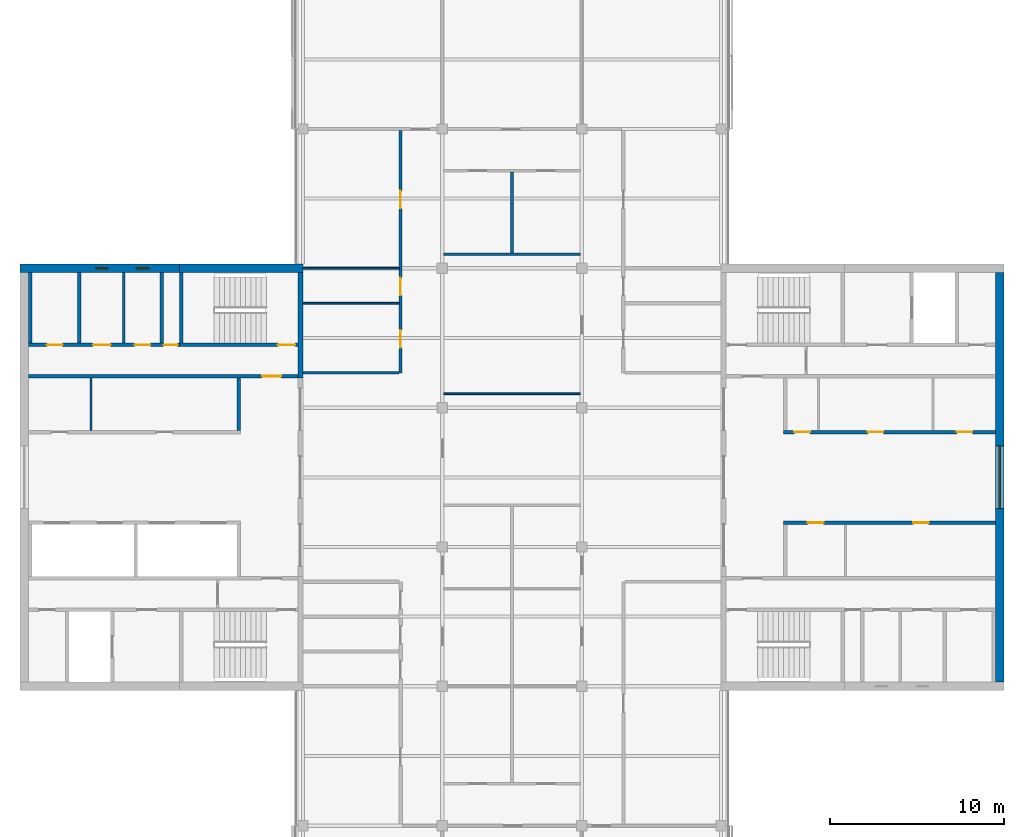
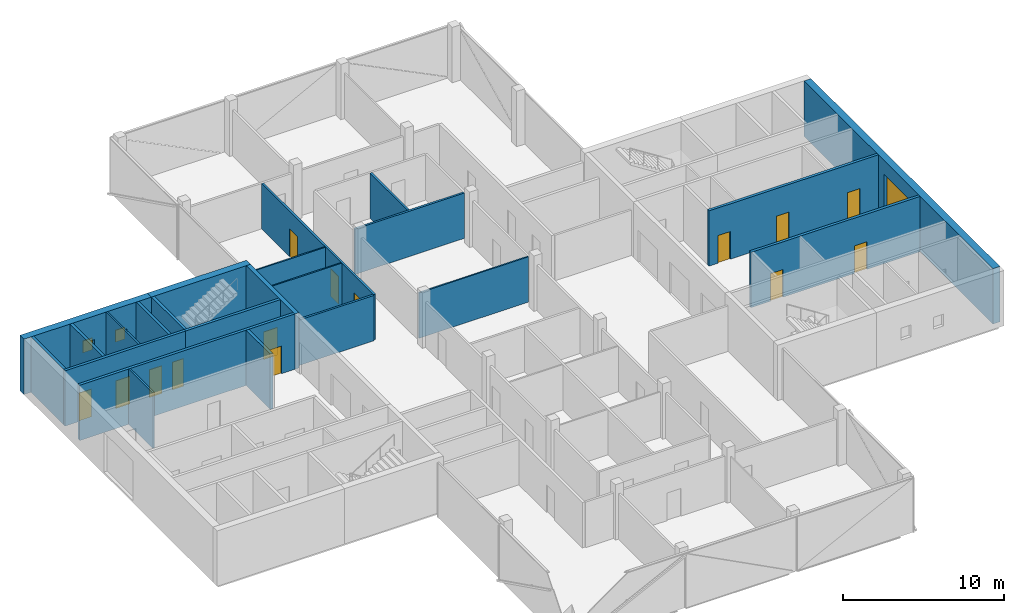
# One storey, part 11 of 16: 23 walls, 14 doors, 3 windows, 17 openings.
"""IFC4 building model written with IfcOpenShell, lengths in metres."""

from ifc_helpers import new_model, si_unit, direction, frame, frame_2d, origin, place, context, subcontext, project, spatial, rectangle, extrude, material, layer, layer_set, constituent, constituent_set, type_object, element, fill, save


model = new_model("IFC4")

# Units and contexts
model_context = context("Model", 3, precision=1e-05, world=origin(), true_north=direction((0.0, 1.0)))
body_context = subcontext(model_context, "Body", "Model", "MODEL_VIEW")
ifc_project = project(units=[si_unit("LENGTHUNIT", "METRE"), si_unit("AREAUNIT", "SQUARE_METRE"), si_unit("VOLUMEUNIT", "CUBIC_METRE"), si_unit("PLANEANGLEUNIT", "RADIAN"), si_unit("MASSUNIT", "GRAM", prefix="KILO")], contexts=[model_context])

# Site, building, storey
site_placement = place(None, origin())
site = spatial("IfcSite", under=ifc_project, at=site_placement, CompositionType="ELEMENT")
building_placement = place(site_placement, origin())
building = spatial("IfcBuilding", under=site, at=building_placement, Name="Crosswind Convention Tower", CompositionType="ELEMENT")
storey_placement = place(building_placement, frame((0.0, 0.0, 336.5)))
storey = spatial("IfcBuildingStorey", under=building, at=storey_placement, Name="L73", CompositionType="ELEMENT", Elevation=336.5)

# Walls
ifc_material_1 = material(Name="Concrete blockwork", Category="masonry")
ifc_layer_1 = layer(ifc_material_1, 0.199951171875)
ifc_layer_set_1 = layer_set([ifc_layer_1], Name="Blockwork partition wall 200")
wall_type_1 = type_object("IfcWallType", Name="Blockwork partition wall 200", PredefinedType="PARTITIONING", material=ifc_layer_set_1)
wall_1_placement = place(storey_placement, frame((104.89990234375, 111.75, 0.0), z_axis=(0.0, 0.0, 1.0), x_axis=(0.0, -1.0, 0.0)))
element("IfcWall", 1, at=wall_1_placement, inside=storey, type_object=wall_type_1, Name="Wall MRSE W L73", PredefinedType="PARTITIONING", context=body_context, shape_type="SweptSolid", body=[
    extrude(rectangle(XDim=4.050048828125, YDim=0.199951171875, at=frame_2d((2.02490234375, 0.0))), origin(), (0.0, 0.0, 1.0), 4.199951171875),
])
ifc_material_2 = material(Name="Concrete C50/60", Category="concrete")
ifc_layer_2 = layer(ifc_material_2, 0.300048828125)
ifc_layer_set_2 = layer_set([ifc_layer_2], Name="Concrete C50/60")
wall_type_2 = type_object("IfcWallType", Name="Concrete inner core wall 300", PredefinedType="SHEAR", material=ifc_layer_set_2)
wall_2_placement = place(storey_placement, frame((112.85009765625, 111.75, 0.0), z_axis=(0.0, 0.0, 1.0), x_axis=(0.0, -1.0, 0.0)))
element("IfcWall", 2, at=wall_2_placement, inside=storey, type_object=wall_type_2, Name="Wall EM W L73", PredefinedType="SHEAR", context=body_context, shape_type="SweptSolid", body=[
    extrude(rectangle(XDim=6.050048828125, YDim=0.300048828125, at=frame_2d((3.02490234375, 0.0))), origin(), (0.0, 0.0, 1.0), 4.199951171875),
])

# Wall, openings, doors
ifc_layer_3 = layer(ifc_material_2, 0.199951171875)
ifc_layer_set_3 = layer_set([ifc_layer_3], Name="Concrete C50/60")
wall_type_3 = type_object("IfcWallType", Name="Concrete shaft and stair wall 200", PredefinedType="SHEAR", material=ifc_layer_set_3)
wall_3_placement = place(storey_placement, frame((140.60009765625, 102.60009765625, 0.0), z_axis=(0.0, 0.0, 1.0), x_axis=(1.0, 0.0, 0.0)))
wall_3 = element("IfcWall", 3, at=wall_3_placement, inside=storey, type_object=wall_type_3, Name="Wall RPFRONT E L73", PredefinedType="SHEAR", context=body_context, shape_type="SweptSolid", body=[
    extrude(rectangle(XDim=12.14990234375, YDim=0.199951171875, at=frame_2d((6.074951171875, 0.0))), origin(), (0.0, 0.0, 1.0), 4.199951171875),
])
opening_1_placement = place(wall_3_placement, frame((0.614990234375, 0.0, 0.0)))
opening_1 = element("IfcOpeningElement", 4, at=opening_1_placement, cuts=wall_3, Name="Opening D106", PredefinedType="OPENING", context=body_context, shape_type="SweptSolid", body=[
    extrude(rectangle(XDim=0.89990234375, YDim=2.10009765625, at=frame_2d((0.449951171875, 1.050048828125))), frame((0.0, 0.10986328125, 0.0), z_axis=(0.0, -1.0, 0.0), x_axis=(1.0, 0.0, 0.0)), (0.0, 0.0, 1.0), 0.219970703125),
])
opening_2_placement = place(wall_3_placement, frame((4.828857421875, 0.0, 0.0)))
opening_2 = element("IfcOpeningElement", 5, at=opening_2_placement, cuts=wall_3, Name="Opening D106", PredefinedType="OPENING", context=body_context, shape_type="SweptSolid", body=[
    extrude(rectangle(XDim=0.89990234375, YDim=2.10009765625, at=frame_2d((0.449951171875, 1.050048828125))), frame((0.0, 0.10986328125, 0.0), z_axis=(0.0, -1.0, 0.0), x_axis=(1.0, 0.0, 0.0)), (0.0, 0.0, 1.0), 0.219970703125),
])
opening_3_placement = place(wall_3_placement, frame((9.938720703125, 0.0, 0.0)))
opening_3 = element("IfcOpeningElement", 6, at=opening_3_placement, cuts=wall_3, Name="Opening D106", PredefinedType="OPENING", context=body_context, shape_type="SweptSolid", body=[
    extrude(rectangle(XDim=0.89990234375, YDim=2.10009765625, at=frame_2d((0.449951171875, 1.050048828125))), frame((0.0, 0.10986328125, 0.0), z_axis=(0.0, -1.0, 0.0), x_axis=(1.0, 0.0, 0.0)), (0.0, 0.0, 1.0), 0.219970703125),
])
ifc_material_3 = material(Name="Timber door", Category="wood")
door_type_1 = type_object("IfcDoorType", Name="Single leaf door 900x2100", OperationType="NOTDEFINED", PredefinedType="DOOR", material=ifc_material_3)
door_1_placement = place(opening_1_placement, origin())
door_1 = element("IfcDoor", 7, at=door_1_placement, inside=storey, type_object=door_type_1, Name="Door to tenant services room L73", ObjectType="D106", OperationType="SINGLE_SWING_RIGHT", OverallHeight=2.10009765625, OverallWidth=0.89990234375, PredefinedType="DOOR", context=body_context, shape_type="SweptSolid", body=[
    extrude(rectangle(XDim=0.89990234375, YDim=2.10009765625, at=frame_2d((0.449951171875, 1.050048828125))), frame((0.0, 0.02490234375, 0.0), z_axis=(0.0, -1.0, 0.0), x_axis=(1.0, 0.0, 0.0)), (0.0, 0.0, 1.0), 0.050048828125),
])
fill(opening_1, door_1)
door_2_placement = place(opening_2_placement, origin())
door_2 = element("IfcDoor", 8, at=door_2_placement, inside=storey, type_object=door_type_1, Name="Door to copy and print room L73", ObjectType="D106", OperationType="SINGLE_SWING_RIGHT", OverallHeight=2.10009765625, OverallWidth=0.89990234375, PredefinedType="DOOR", context=body_context, shape_type="SweptSolid", body=[
    extrude(rectangle(XDim=0.89990234375, YDim=2.10009765625, at=frame_2d((0.449951171875, 1.050048828125))), frame((0.0, 0.02490234375, 0.0), z_axis=(0.0, -1.0, 0.0), x_axis=(1.0, 0.0, 0.0)), (0.0, 0.0, 1.0), 0.050048828125),
])
fill(opening_2, door_2)
door_3_placement = place(opening_3_placement, origin())
door_3 = element("IfcDoor", 9, at=door_3_placement, inside=storey, type_object=door_type_1, Name="Door to meeting room L73", ObjectType="D106", OperationType="SINGLE_SWING_RIGHT", OverallHeight=2.10009765625, OverallWidth=0.89990234375, PredefinedType="DOOR", context=body_context, shape_type="SweptSolid", body=[
    extrude(rectangle(XDim=0.89990234375, YDim=2.10009765625, at=frame_2d((0.449951171875, 1.050048828125))), frame((0.0, 0.02490234375, 0.0), z_axis=(0.0, -1.0, 0.0), x_axis=(1.0, 0.0, 0.0)), (0.0, 0.0, 1.0), 0.050048828125),
])
fill(opening_3, door_3)

wall_4_placement = place(storey_placement, frame((140.60009765625, 97.39990234375, 0.0), z_axis=(0.0, 0.0, 1.0), x_axis=(1.0, 0.0, 0.0)))
wall_4 = element("IfcWall", 10, at=wall_4_placement, inside=storey, type_object=wall_type_3, Name="Wall RMFRONT E L73", PredefinedType="SHEAR", context=body_context, shape_type="SweptSolid", body=[
    extrude(rectangle(XDim=12.14990234375, YDim=0.199951171875, at=frame_2d((6.074951171875, 0.0))), origin(), (0.0, 0.0, 1.0), 4.199951171875),
])
opening_4_placement = place(wall_4_placement, frame((1.391845703125, 0.0, 0.0)))
opening_4 = element("IfcOpeningElement", 11, at=opening_4_placement, cuts=wall_4, Name="Opening D106", PredefinedType="OPENING", context=body_context, shape_type="SweptSolid", body=[
    extrude(rectangle(XDim=0.89990234375, YDim=2.10009765625, at=frame_2d((0.449951171875, 1.050048828125))), frame((0.0, 0.10986328125, 0.0), z_axis=(0.0, -1.0, 0.0), x_axis=(1.0, 0.0, 0.0)), (0.0, 0.0, 1.0), 0.219970703125),
])
opening_5_placement = place(wall_4_placement, frame((7.42919921875, 0.0, 0.0)))
opening_5 = element("IfcOpeningElement", 12, at=opening_5_placement, cuts=wall_4, Name="Opening D106", PredefinedType="OPENING", context=body_context, shape_type="SweptSolid", body=[
    extrude(rectangle(XDim=0.89990234375, YDim=2.10009765625, at=frame_2d((0.449951171875, 1.050048828125))), frame((0.0, 0.10986328125, 0.0), z_axis=(0.0, -1.0, 0.0), x_axis=(1.0, 0.0, 0.0)), (0.0, 0.0, 1.0), 0.219970703125),
])
door_4_placement = place(opening_4_placement, frame((0.89990234375, 0.0, 0.0), z_axis=(0.0, 0.0, 1.0), x_axis=(-1.0, 0.0, 0.0)))
door_4 = element("IfcDoor", 13, at=door_4_placement, inside=storey, type_object=door_type_1, Name="Door to copy and print room L73", ObjectType="D106", OperationType="SINGLE_SWING_LEFT", OverallHeight=2.10009765625, OverallWidth=0.89990234375, PredefinedType="DOOR", context=body_context, shape_type="SweptSolid", body=[
    extrude(rectangle(XDim=0.89990234375, YDim=2.10009765625, at=frame_2d((0.449951171875, 1.050048828125))), frame((0.0, 0.02490234375, 0.0), z_axis=(0.0, -1.0, 0.0), x_axis=(1.0, 0.0, 0.0)), (0.0, 0.0, 1.0), 0.050048828125),
])
fill(opening_4, door_4)
door_5_placement = place(opening_5_placement, frame((0.89990234375, 0.0, 0.0), z_axis=(0.0, 0.0, 1.0), x_axis=(-1.0, 0.0, 0.0)))
door_5 = element("IfcDoor", 14, at=door_5_placement, inside=storey, type_object=door_type_1, Name="Door to meeting room L73", ObjectType="D106", OperationType="SINGLE_SWING_LEFT", OverallHeight=2.10009765625, OverallWidth=0.89990234375, PredefinedType="DOOR", context=body_context, shape_type="SweptSolid", body=[
    extrude(rectangle(XDim=0.89990234375, YDim=2.10009765625, at=frame_2d((0.449951171875, 1.050048828125))), frame((0.0, 0.02490234375, 0.0), z_axis=(0.0, -1.0, 0.0), x_axis=(1.0, 0.0, 0.0)), (0.0, 0.0, 1.0), 0.050048828125),
])
fill(opening_5, door_5)

# Wall
wall_5_placement = place(storey_placement, frame((109.300048828125, 105.699951171875, 0.0), z_axis=(0.0, 0.0, 1.0), x_axis=(0.0, -1.0, 0.0)))
element("IfcWall", 15, at=wall_5_placement, inside=storey, type_object=wall_type_3, Name="Wall RMEND W L73", PredefinedType="SHEAR", context=body_context, shape_type="SweptSolid", body=[
    extrude(rectangle(XDim=3.0, YDim=0.199951171875, at=frame_2d((1.5, 0.0))), origin(), (0.0, 0.0, 1.0), 4.199951171875),
])

# Wall, opening, door
wall_6_placement = place(storey_placement, frame((112.699951171875, 105.800048828125, 0.0), z_axis=(0.0, 0.0, 1.0), x_axis=(-1.0, 0.0, 0.0)))
wall_6 = element("IfcWall", 16, at=wall_6_placement, inside=storey, type_object=wall_type_3, Name="Wall HM W L73", PredefinedType="SHEAR", context=body_context, shape_type="SweptSolid", body=[
    extrude(rectangle(XDim=15.449951171875, YDim=0.199951171875, at=frame_2d((7.72509765625, 0.0))), origin(), (0.0, 0.0, 1.0), 4.199951171875),
])
opening_6_placement = place(wall_6_placement, frame((0.949951171875, 0.0, 0.0)))
opening_6 = element("IfcOpeningElement", 17, at=opening_6_placement, cuts=wall_6, Name="Opening D104", PredefinedType="OPENING", context=body_context, shape_type="SweptSolid", body=[
    extrude(rectangle(XDim=1.10009765625, YDim=2.10009765625, at=frame_2d((0.550048828125, 1.050048828125))), frame((0.0, 0.10986328125, 0.0), z_axis=(0.0, -1.0, 0.0), x_axis=(1.0, 0.0, 0.0)), (0.0, 0.0, 1.0), 0.219970703125),
])
ifc_material_4 = material(Name="Steel fire door", Category="steel")
door_type_2 = type_object("IfcDoorType", Name="Fire-rated single door 1100x2100", OperationType="NOTDEFINED", PredefinedType="DOOR", material=ifc_material_4)
door_6_placement = place(opening_6_placement, origin())
door_6 = element("IfcDoor", 18, at=door_6_placement, inside=storey, type_object=door_type_2, Name="Corridor door L73", ObjectType="D104", OperationType="SINGLE_SWING_LEFT", OverallHeight=2.10009765625, OverallWidth=1.10009765625, PredefinedType="DOOR", context=body_context, shape_type="SweptSolid", body=[
    extrude(rectangle(XDim=1.10009765625, YDim=2.10009765625, at=frame_2d((0.550048828125, 1.050048828125))), frame((0.0, 0.02490234375, 0.0), z_axis=(0.0, -1.0, 0.0), x_axis=(1.0, 0.0, 0.0)), (0.0, 0.0, 1.0), 0.050048828125),
])
fill(opening_6, door_6)

# Walls
for number, where, z_axis, x_axis, name in (
    (19, (106.0, 111.75, 0.0), (0.0, 0.0, 1.0), (0.0, -1.0, 0.0), "Wall MSE W L73"),
    (20, (100.14990234375, 111.75, 0.0), (0.0, 0.0, 1.0), (0.0, -1.0, 0.0), "Wall MFSW W L73"),
    (21, (97.35009765625, 111.75, 0.0), (0.0, 0.0, 1.0), (0.0, -1.0, 0.0), "Wall MFSE W L73"),
):
    element("IfcWall", number, at=place(storey_placement, frame(where, z_axis=z_axis, x_axis=x_axis)), inside=storey, type_object=wall_type_3, Name=name, PredefinedType="SHEAR", context=body_context, shape_type="SweptSolid", body=[
        extrude(rectangle(XDim=4.050048828125, YDim=0.199951171875, at=frame_2d((2.02490234375, 0.0))), origin(), (0.0, 0.0, 1.0), 4.199951171875),
    ])

# Wall, opening, door
wall_7_placement = place(storey_placement, frame((112.699951171875, 107.60009765625, 0.0), z_axis=(0.0, 0.0, 1.0), x_axis=(-1.0, 0.0, 0.0)))
wall_7 = element("IfcWall", 22, at=wall_7_placement, inside=storey, type_object=wall_type_3, Name="Wall MCW W L73", PredefinedType="SHEAR", context=body_context, shape_type="SweptSolid", body=[
    extrude(rectangle(XDim=6.800048828125, YDim=0.199951171875, at=frame_2d((3.39990234375, 0.0))), origin(), (0.0, 0.0, 1.0), 4.199951171875),
])
opening_7_placement = place(wall_7_placement, frame((0.14990234375, 0.0, 0.0)))
opening_7 = element("IfcOpeningElement", 23, at=opening_7_placement, cuts=wall_7, Name="Opening D103", PredefinedType="OPENING", context=body_context, shape_type="SweptSolid", body=[
    extrude(rectangle(XDim=1.0, YDim=2.10009765625, at=frame_2d((0.5, 1.050048828125))), frame((0.0, 0.10986328125, 0.0), z_axis=(0.0, -1.0, 0.0), x_axis=(1.0, 0.0, 0.0)), (0.0, 0.0, 1.0), 0.219970703125),
])
door_type_3 = type_object("IfcDoorType", Name="Fire-rated single door 1000x2100", OperationType="NOTDEFINED", PredefinedType="DOOR", material=ifc_material_4)
door_7_placement = place(opening_7_placement, frame((1.0, 0.0, 0.0), z_axis=(0.0, 0.0, 1.0), x_axis=(-1.0, 0.0, 0.0)))
door_7 = element("IfcDoor", 24, at=door_7_placement, inside=storey, type_object=door_type_3, Name="Stair ST4 door L73", ObjectType="D103", OperationType="SINGLE_SWING_RIGHT", OverallHeight=2.10009765625, OverallWidth=1.0, PredefinedType="DOOR", context=body_context, shape_type="SweptSolid", body=[
    extrude(rectangle(XDim=1.0, YDim=2.10009765625, at=frame_2d((0.5, 1.050048828125))), frame((0.0, 0.02490234375, 0.0), z_axis=(0.0, -1.0, 0.0), x_axis=(1.0, 0.0, 0.0)), (0.0, 0.0, 1.0), 0.050048828125),
])
fill(opening_7, door_7)

# Wall, openings, doors
wall_8_placement = place(storey_placement, frame((105.89990234375, 107.60009765625, 0.0), z_axis=(0.0, 0.0, 1.0), x_axis=(-1.0, 0.0, 0.0)))
wall_8 = element("IfcWall", 25, at=wall_8_placement, inside=storey, type_object=wall_type_3, Name="Wall MCX W L73", PredefinedType="SHEAR", context=body_context, shape_type="SweptSolid", body=[
    extrude(rectangle(XDim=8.64990234375, YDim=0.199951171875, at=frame_2d((4.324951171875, 0.0))), origin(), (0.0, 0.0, 1.0), 4.199951171875),
])
opening_8_placement = place(wall_8_placement, frame((0.10009765625, 0.0, 0.0)))
opening_8 = element("IfcOpeningElement", 26, at=opening_8_placement, cuts=wall_8, Name="Opening D105", PredefinedType="OPENING", context=body_context, shape_type="SweptSolid", body=[
    extrude(rectangle(XDim=0.800048828125, YDim=2.10009765625, at=frame_2d((0.39990234375, 1.050048828125))), frame((0.0, 0.10986328125, 0.0), z_axis=(0.0, -1.0, 0.0), x_axis=(1.0, 0.0, 0.0)), (0.0, 0.0, 1.0), 0.219970703125),
])
opening_9_placement = place(wall_8_placement, frame((1.665283203125, 0.0, 0.0)))
opening_9 = element("IfcOpeningElement", 27, at=opening_9_placement, cuts=wall_8, Name="Opening D106", PredefinedType="OPENING", context=body_context, shape_type="SweptSolid", body=[
    extrude(rectangle(XDim=0.89990234375, YDim=2.10009765625, at=frame_2d((0.449951171875, 1.050048828125))), frame((0.0, 0.10986328125, 0.0), z_axis=(0.0, -1.0, 0.0), x_axis=(1.0, 0.0, 0.0)), (0.0, 0.0, 1.0), 0.219970703125),
])
opening_10_placement = place(wall_8_placement, frame((3.95263671875, 0.0, 0.0)))
opening_10 = element("IfcOpeningElement", 28, at=opening_10_placement, cuts=wall_8, Name="Opening D103", PredefinedType="OPENING", context=body_context, shape_type="SweptSolid", body=[
    extrude(rectangle(XDim=1.0, YDim=2.10009765625, at=frame_2d((0.5, 1.050048828125))), frame((0.0, 0.10986328125, 0.0), z_axis=(0.0, -1.0, 0.0), x_axis=(1.0, 0.0, 0.0)), (0.0, 0.0, 1.0), 0.219970703125),
])
opening_11_placement = place(wall_8_placement, frame((6.699951171875, 0.0, 0.0)))
opening_11 = element("IfcOpeningElement", 29, at=opening_11_placement, cuts=wall_8, Name="Opening D106", PredefinedType="OPENING", context=body_context, shape_type="SweptSolid", body=[
    extrude(rectangle(XDim=0.89990234375, YDim=2.10009765625, at=frame_2d((0.449951171875, 1.050048828125))), frame((0.0, 0.10986328125, 0.0), z_axis=(0.0, -1.0, 0.0), x_axis=(1.0, 0.0, 0.0)), (0.0, 0.0, 1.0), 0.219970703125),
])
door_8_placement = place(opening_10_placement, frame((1.0, 0.0, 0.0), z_axis=(0.0, 0.0, 1.0), x_axis=(-1.0, 0.0, 0.0)))
door_8 = element("IfcDoor", 30, at=door_8_placement, inside=storey, type_object=door_type_3, Name="Door to accessible wc L73", ObjectType="D103", OperationType="SINGLE_SWING_LEFT", OverallHeight=2.10009765625, OverallWidth=1.0, PredefinedType="DOOR", context=body_context, shape_type="SweptSolid", body=[
    extrude(rectangle(XDim=1.0, YDim=2.10009765625, at=frame_2d((0.5, 1.050048828125))), frame((0.0, 0.02490234375, 0.0), z_axis=(0.0, -1.0, 0.0), x_axis=(1.0, 0.0, 0.0)), (0.0, 0.0, 1.0), 0.050048828125),
])
fill(opening_10, door_8)
door_type_4 = type_object("IfcDoorType", Name="Riser access door 800x2100", OperationType="NOTDEFINED", PredefinedType="DOOR", material=ifc_material_4)
door_9_placement = place(opening_8_placement, frame((0.800048828125, 0.0, 0.0), z_axis=(0.0, 0.0, 1.0), x_axis=(-1.0, 0.0, 0.0)))
door_9 = element("IfcDoor", 31, at=door_9_placement, inside=storey, type_object=door_type_4, Name="Riser door L73", ObjectType="D105", OperationType="SINGLE_SWING_LEFT", OverallHeight=2.10009765625, OverallWidth=0.800048828125, PredefinedType="DOOR", context=body_context, shape_type="SweptSolid", body=[
    extrude(rectangle(XDim=0.800048828125, YDim=2.10009765625, at=frame_2d((0.39990234375, 1.050048828125))), frame((0.0, 0.02490234375, 0.0), z_axis=(0.0, -1.0, 0.0), x_axis=(1.0, 0.0, 0.0)), (0.0, 0.0, 1.0), 0.050048828125),
])
fill(opening_8, door_9)
door_10_placement = place(opening_9_placement, frame((0.89990234375, 0.0, 0.0), z_axis=(0.0, 0.0, 1.0), x_axis=(-1.0, 0.0, 0.0)))
door_10 = element("IfcDoor", 32, at=door_10_placement, inside=storey, type_object=door_type_1, Name="Door to wc L73", ObjectType="D106", OperationType="SINGLE_SWING_LEFT", OverallHeight=2.10009765625, OverallWidth=0.89990234375, PredefinedType="DOOR", context=body_context, shape_type="SweptSolid", body=[
    extrude(rectangle(XDim=0.89990234375, YDim=2.10009765625, at=frame_2d((0.449951171875, 1.050048828125))), frame((0.0, 0.02490234375, 0.0), z_axis=(0.0, -1.0, 0.0), x_axis=(1.0, 0.0, 0.0)), (0.0, 0.0, 1.0), 0.050048828125),
])
fill(opening_9, door_10)
door_11_placement = place(opening_11_placement, frame((0.89990234375, 0.0, 0.0), z_axis=(0.0, 0.0, 1.0), x_axis=(-1.0, 0.0, 0.0)))
door_11 = element("IfcDoor", 33, at=door_11_placement, inside=storey, type_object=door_type_1, Name="Door to accessible wc L73", ObjectType="D106", OperationType="SINGLE_SWING_LEFT", OverallHeight=2.10009765625, OverallWidth=0.89990234375, PredefinedType="DOOR", context=body_context, shape_type="SweptSolid", body=[
    extrude(rectangle(XDim=0.89990234375, YDim=2.10009765625, at=frame_2d((0.449951171875, 1.050048828125))), frame((0.0, 0.02490234375, 0.0), z_axis=(0.0, -1.0, 0.0), x_axis=(1.0, 0.0, 0.0)), (0.0, 0.0, 1.0), 0.050048828125),
])
fill(opening_11, door_11)

# Walls
ifc_material_5 = material(Name="Gypsum plasterboard partition", Category="gypsum")
ifc_layer_4 = layer(ifc_material_5, 0.125)
ifc_layer_set_4 = layer_set([ifc_layer_4], Name="Drywall partition wall 125")
wall_type_4 = type_object("IfcWallType", Name="Drywall partition wall 125", PredefinedType="PARTITIONING", material=ifc_layer_set_4)
wall_9_placement = place(storey_placement, frame((100.8349609375, 105.699951171875, 0.0), z_axis=(0.0, 0.0, 1.0), x_axis=(0.0, -1.0, 0.0)))
element("IfcWall", 34, at=wall_9_placement, inside=storey, type_object=wall_type_4, Name="Wall RMP1 W L73", PredefinedType="PARTITIONING", context=body_context, shape_type="SweptSolid", body=[
    extrude(rectangle(XDim=3.0, YDim=0.125, at=frame_2d((1.5, 0.0))), origin(), (0.0, 0.0, 1.0), 4.199951171875),
])
wall_10_placement = place(storey_placement, frame((102.70703125, 111.75, 0.0), z_axis=(0.0, 0.0, 1.0), x_axis=(0.0, -1.0, 0.0)))
element("IfcWall", 35, at=wall_10_placement, inside=storey, type_object=wall_type_4, Name="Wall MWP1 W L73", PredefinedType="PARTITIONING", context=body_context, shape_type="SweptSolid", body=[
    extrude(rectangle(XDim=4.050048828125, YDim=0.125, at=frame_2d((2.02490234375, 0.0))), origin(), (0.0, 0.0, 1.0), 4.199951171875),
])
ifc_material_6 = material(Name="Plasterboard partition", Category="gypsum")
ifc_layer_5 = layer(ifc_material_6, 0.10009765625)
ifc_layer_set_5 = layer_set([ifc_layer_5], Name="PARTITION 100 METAL STUD")
wall_type_5 = type_object("IfcWallType", Name="PARTITION 100 METAL STUD", PredefinedType="PARTITIONING", material=ifc_layer_set_5)
wall_11_placement = place(storey_placement, frame((121.074951171875, 104.800048828125, 0.0), z_axis=(0.0, 0.0, 1.0), x_axis=(1.0, 0.0, 0.0)))
element("IfcWall", 36, at=wall_11_placement, inside=storey, type_object=wall_type_5, Name="Partition wall WT40", PredefinedType="PARTITIONING", context=body_context, shape_type="SweptSolid", body=[
    extrude(rectangle(XDim=7.85009765625, YDim=0.10009765625, at=frame_2d((3.925048828125, 0.0))), origin(), (0.0, 0.0, 1.0), 3.44287109375),
])
for number, where, z_axis, x_axis, name in (
    (37, (113.0, 110.0, 0.0), (0.0, 0.0, 1.0), (1.0, 0.0, 0.0), "Partition wall WT40"),
    (38, (113.0, 112.0, 0.0), (0.0, 0.0, 1.0), (1.0, 0.0, 0.0), "Partition wall WT40"),
):
    element("IfcWall", number, at=place(storey_placement, frame(where, z_axis=z_axis, x_axis=x_axis)), inside=storey, type_object=wall_type_5, Name=name, PredefinedType="PARTITIONING", context=body_context, shape_type="SweptSolid", body=[
        extrude(rectangle(XDim=5.52490234375, YDim=0.10009765625, at=frame_2d((2.762451171875, 0.0))), origin(), (0.0, 0.0, 1.0), 3.44287109375),
    ])

# Wall, openings, doors
ifc_material_7 = material(Name="Fire-board partition with mineral wool", Category="gypsum")
ifc_layer_6 = layer(ifc_material_7, 0.14990234375)
ifc_layer_set_6 = layer_set([ifc_layer_6], Name="TENANCY WALL 150 TWO-HOUR BOARD")
wall_type_6 = type_object("IfcWallType", Name="TENANCY WALL 150 TWO-HOUR BOARD", PredefinedType="PARTITIONING", material=ifc_layer_set_6)
wall_12_placement = place(storey_placement, frame((118.60009765625, 106.0, 0.0), z_axis=(0.0, 0.0, 1.0), x_axis=(0.0, 1.0, 0.0)))
wall_12 = element("IfcWall", 39, at=wall_12_placement, inside=storey, type_object=wall_type_6, Name="Tenancy wall WT41", PredefinedType="PARTITIONING", context=body_context, shape_type="SweptSolid", body=[
    extrude(rectangle(XDim=13.925048828125, YDim=0.14990234375, at=frame_2d((6.96240234375, 0.0))), origin(), (0.0, 0.0, 1.0), 3.44287109375),
])
opening_12_placement = place(wall_12_placement, frame((1.449951171875, 0.0, 0.0)))
opening_12 = element("IfcOpeningElement", 40, at=opening_12_placement, cuts=wall_12, Name="Opening L73-54", PredefinedType="OPENING", context=body_context, shape_type="SweptSolid", body=[
    extrude(rectangle(XDim=1.0, YDim=2.10009765625, at=frame_2d((0.5, 1.050048828125))), frame((0.0, 0.0849609375, 0.0), z_axis=(0.0, -1.0, 0.0), x_axis=(1.0, 0.0, 0.0)), (0.0, 0.0, 1.0), 0.169921875),
])
opening_13_placement = place(wall_12_placement, frame((4.449951171875, 0.0, 0.0)))
opening_13 = element("IfcOpeningElement", 41, at=opening_13_placement, cuts=wall_12, Name="Opening L73-55", PredefinedType="OPENING", context=body_context, shape_type="SweptSolid", body=[
    extrude(rectangle(XDim=1.0, YDim=2.10009765625, at=frame_2d((0.5, 1.050048828125))), frame((0.0, 0.0849609375, 0.0), z_axis=(0.0, -1.0, 0.0), x_axis=(1.0, 0.0, 0.0)), (0.0, 0.0, 1.0), 0.169921875),
])
opening_14_placement = place(wall_12_placement, frame((9.449951171875, 0.0, 0.0)))
opening_14 = element("IfcOpeningElement", 42, at=opening_14_placement, cuts=wall_12, Name="Opening L73-56", PredefinedType="OPENING", context=body_context, shape_type="SweptSolid", body=[
    extrude(rectangle(XDim=1.0, YDim=2.10009765625, at=frame_2d((0.5, 1.050048828125))), frame((0.0, 0.0849609375, 0.0), z_axis=(0.0, -1.0, 0.0), x_axis=(1.0, 0.0, 0.0)), (0.0, 0.0, 1.0), 0.169921875),
])
ifc_material_8 = material(Name="Timber fire door", Category="wood")
door_type_5 = type_object("IfcDoorType", Name="TENANCY ENTRANCE DOOR 1000X2100 FD30S", OperationType="NOTDEFINED", PredefinedType="DOOR", material=ifc_material_8)
door_12_placement = place(opening_12_placement, origin())
door_12 = element("IfcDoor", 43, at=door_12_placement, inside=storey, type_object=door_type_5, Name="Door L73-54", ObjectType="D41", OperationType="SINGLE_SWING_LEFT", OverallHeight=2.10009765625, OverallWidth=1.0, PredefinedType="DOOR", context=body_context, shape_type="SweptSolid", body=[
    extrude(rectangle(XDim=1.0, YDim=2.10009765625, at=frame_2d((0.5, 1.050048828125))), frame((0.0, 0.02490234375, 0.0), z_axis=(0.0, -1.0, 0.0), x_axis=(1.0, 0.0, 0.0)), (0.0, 0.0, 1.0), 0.050048828125),
])
fill(opening_12, door_12)
door_13_placement = place(opening_13_placement, origin())
door_13 = element("IfcDoor", 44, at=door_13_placement, inside=storey, type_object=door_type_5, Name="Door L73-55", ObjectType="D41", OperationType="SINGLE_SWING_LEFT", OverallHeight=2.10009765625, OverallWidth=1.0, PredefinedType="DOOR", context=body_context, shape_type="SweptSolid", body=[
    extrude(rectangle(XDim=1.0, YDim=2.10009765625, at=frame_2d((0.5, 1.050048828125))), frame((0.0, 0.02490234375, 0.0), z_axis=(0.0, -1.0, 0.0), x_axis=(1.0, 0.0, 0.0)), (0.0, 0.0, 1.0), 0.050048828125),
])
fill(opening_13, door_13)
door_14_placement = place(opening_14_placement, origin())
door_14 = element("IfcDoor", 45, at=door_14_placement, inside=storey, type_object=door_type_5, Name="Door L73-56", ObjectType="D41", OperationType="SINGLE_SWING_LEFT", OverallHeight=2.10009765625, OverallWidth=1.0, PredefinedType="DOOR", context=body_context, shape_type="SweptSolid", body=[
    extrude(rectangle(XDim=1.0, YDim=2.10009765625, at=frame_2d((0.5, 1.050048828125))), frame((0.0, 0.02490234375, 0.0), z_axis=(0.0, -1.0, 0.0), x_axis=(1.0, 0.0, 0.0)), (0.0, 0.0, 1.0), 0.050048828125),
])
fill(opening_14, door_14)

# Walls
wall_13_placement = place(storey_placement, frame((125.0, 112.875, 0.0), z_axis=(0.0, 0.0, 1.0), x_axis=(0.0, 1.0, 0.0)))
element("IfcWall", 46, at=wall_13_placement, inside=storey, type_object=wall_type_6, Name="Tenancy wall WT41", PredefinedType="PARTITIONING", context=body_context, shape_type="SweptSolid", body=[
    extrude(rectangle(XDim=4.64990234375, YDim=0.14990234375, at=frame_2d((2.324951171875, 0.0))), origin(), (0.0, 0.0, 1.0), 3.44287109375),
])
wall_14_placement = place(storey_placement, frame((113.0, 106.0, 0.0), z_axis=(0.0, 0.0, 1.0), x_axis=(1.0, 0.0, 0.0)))
element("IfcWall", 47, at=wall_14_placement, inside=storey, type_object=wall_type_6, Name="Tenancy wall WT41", PredefinedType="PARTITIONING", context=body_context, shape_type="SweptSolid", body=[
    extrude(rectangle(XDim=5.52490234375, YDim=0.14990234375, at=frame_2d((2.762451171875, 0.0))), origin(), (0.0, 0.0, 1.0), 3.44287109375),
])
wall_15_placement = place(storey_placement, frame((121.074951171875, 112.800048828125, 0.0), z_axis=(0.0, 0.0, 1.0), x_axis=(1.0, 0.0, 0.0)))
element("IfcWall", 48, at=wall_15_placement, inside=storey, type_object=wall_type_6, Name="Tenancy wall WT41", PredefinedType="PARTITIONING", context=body_context, shape_type="SweptSolid", body=[
    extrude(rectangle(XDim=7.85009765625, YDim=0.14990234375, at=frame_2d((3.925048828125, 0.0))), origin(), (0.0, 0.0, 1.0), 3.44287109375),
])

# Wall, opening, window
ifc_material_9 = material(Name="Concrete C60/75", Category="concrete")
ifc_constituent_1 = constituent(ifc_material_9, Name="Structure")
ifc_material_10 = material(Name="Terracotta rainscreen", Category="ceramic")
ifc_constituent_2 = constituent(ifc_material_10, Name="Facing")
ifc_constituent_set = constituent_set(constituents=[ifc_constituent_1, ifc_constituent_2], Name="Concrete C60/75, Terracotta rainscreen")
wall_type_7 = type_object("IfcWallType", Name="Terracotta rainscreen on concrete core wall 500", PredefinedType="SHEAR", material=ifc_constituent_set)
wall_16_placement = place(storey_placement, frame((153.0, 88.25, 0.0), z_axis=(0.0, 0.0, 1.0), x_axis=(0.0, 1.0, 0.0)))
wall_16 = element("IfcWall", 49, at=wall_16_placement, inside=storey, type_object=wall_type_7, Name="Wall O E L73", PredefinedType="SHEAR", context=body_context, shape_type="SweptSolid", body=[
    extrude(rectangle(XDim=23.5, YDim=0.5, at=frame_2d((11.75, 0.0))), origin(), (0.0, 0.0, 1.0), 4.199951171875),
])
opening_15_placement = place(wall_16_placement, frame((9.949951171875, 0.0, 0.14990234375)))
opening_15 = element("IfcOpeningElement", 50, at=opening_15_placement, cuts=wall_16, Name="Opening W1", PredefinedType="OPENING", context=body_context, shape_type="SweptSolid", body=[
    extrude(rectangle(XDim=3.60009765625, YDim=3.0, at=frame_2d((1.800048828125, 1.5))), frame((0.0, 0.260009765625, 0.0), z_axis=(0.0, -1.0, 0.0), x_axis=(1.0, 0.0, 0.0)), (0.0, 0.0, 1.0), 0.52001953125),
])
ifc_material_11 = material(Name="Clear laminated glass in aluminium frame", Category="aluminium")
window_type_1 = type_object("IfcWindowType", Name="Lobby end window 3600x3000", PartitioningType="SINGLE_PANEL", PredefinedType="WINDOW", material=ifc_material_11)
window_1_placement = place(opening_15_placement, origin())
window_1 = element("IfcWindow", 51, at=window_1_placement, inside=storey, type_object=window_type_1, Name="Lobby end window L73", ObjectType="W1", OverallHeight=3.0, OverallWidth=3.60009765625, PartitioningType="SINGLE_PANEL", PredefinedType="WINDOW", context=body_context, shape_type="SweptSolid", body=[
    extrude(rectangle(XDim=3.60009765625, YDim=3.0, at=frame_2d((1.800048828125, 1.5))), frame((0.0, 0.030029296875, 0.0), z_axis=(0.0, -1.0, 0.0), x_axis=(1.0, 0.0, 0.0)), (0.0, 0.0, 1.0), 0.06005859375),
])
fill(opening_15, window_1)

# Wall
wall_17_placement = place(storey_placement, frame((113.0, 112.0, 0.0), z_axis=(0.0, 0.0, 1.0), x_axis=(-1.0, 0.0, 0.0)))
element("IfcWall", 52, at=wall_17_placement, inside=storey, type_object=wall_type_7, Name="Wall S1 W L73", PredefinedType="SHEAR", context=body_context, shape_type="SweptSolid", body=[
    extrude(rectangle(XDim=7.10009765625, YDim=0.5, at=frame_2d((3.550048828125, 0.0))), origin(), (0.0, 0.0, 1.0), 4.199951171875),
])

# Wall, openings, windows
wall_18_placement = place(storey_placement, frame((105.89990234375, 112.0, 0.0), z_axis=(0.0, 0.0, 1.0), x_axis=(-1.0, 0.0, 0.0)))
wall_18 = element("IfcWall", 53, at=wall_18_placement, inside=storey, type_object=wall_type_7, Name="Wall S2 W L73", PredefinedType="SHEAR", context=body_context, shape_type="SweptSolid", body=[
    extrude(rectangle(XDim=9.14990234375, YDim=0.5, at=frame_2d((4.574951171875, 0.0))), origin(), (0.0, 0.0, 1.0), 4.199951171875),
])
opening_16_placement = place(wall_18_placement, frame((1.76513671875, 0.0, 1.5)))
opening_16 = element("IfcOpeningElement", 54, at=opening_16_placement, cuts=wall_18, Name="Opening W2", PredefinedType="OPENING", context=body_context, shape_type="SweptSolid", body=[
    extrude(rectangle(XDim=0.699951171875, YDim=0.89990234375, at=frame_2d((0.35009765625, 0.449951171875))), frame((0.0, 0.260009765625, 0.0), z_axis=(0.0, -1.0, 0.0), x_axis=(1.0, 0.0, 0.0)), (0.0, 0.0, 1.0), 0.52001953125),
])
opening_17_placement = place(wall_18_placement, frame((4.102783203125, 0.0, 1.5)))
opening_17 = element("IfcOpeningElement", 55, at=opening_17_placement, cuts=wall_18, Name="Opening W2", PredefinedType="OPENING", context=body_context, shape_type="SweptSolid", body=[
    extrude(rectangle(XDim=0.699951171875, YDim=0.89990234375, at=frame_2d((0.35009765625, 0.449951171875))), frame((0.0, 0.260009765625, 0.0), z_axis=(0.0, -1.0, 0.0), x_axis=(1.0, 0.0, 0.0)), (0.0, 0.0, 1.0), 0.52001953125),
])
ifc_material_12 = material(Name="Obscure glass in aluminium frame", Category="aluminium")
window_type_2 = type_object("IfcWindowType", Name="WC window 700x900", PartitioningType="SINGLE_PANEL", PredefinedType="WINDOW", material=ifc_material_12)
window_2_placement = place(opening_16_placement, origin())
window_2 = element("IfcWindow", 56, at=window_2_placement, inside=storey, type_object=window_type_2, Name="WC window L73", ObjectType="W2", OverallHeight=0.89990234375, OverallWidth=0.699951171875, PartitioningType="SINGLE_PANEL", PredefinedType="WINDOW", context=body_context, shape_type="SweptSolid", body=[
    extrude(rectangle(XDim=0.699951171875, YDim=0.89990234375, at=frame_2d((0.35009765625, 0.449951171875))), frame((0.0, 0.030029296875, 0.0), z_axis=(0.0, -1.0, 0.0), x_axis=(1.0, 0.0, 0.0)), (0.0, 0.0, 1.0), 0.06005859375),
])
fill(opening_16, window_2)
window_3_placement = place(opening_17_placement, origin())
window_3 = element("IfcWindow", 57, at=window_3_placement, inside=storey, type_object=window_type_2, Name="WC window L73", ObjectType="W2", OverallHeight=0.89990234375, OverallWidth=0.699951171875, PartitioningType="SINGLE_PANEL", PredefinedType="WINDOW", context=body_context, shape_type="SweptSolid", body=[
    extrude(rectangle(XDim=0.699951171875, YDim=0.89990234375, at=frame_2d((0.35009765625, 0.449951171875))), frame((0.0, 0.030029296875, 0.0), z_axis=(0.0, -1.0, 0.0), x_axis=(1.0, 0.0, 0.0)), (0.0, 0.0, 1.0), 0.06005859375),
])
fill(opening_17, window_3)

save(model, "model.ifc")
